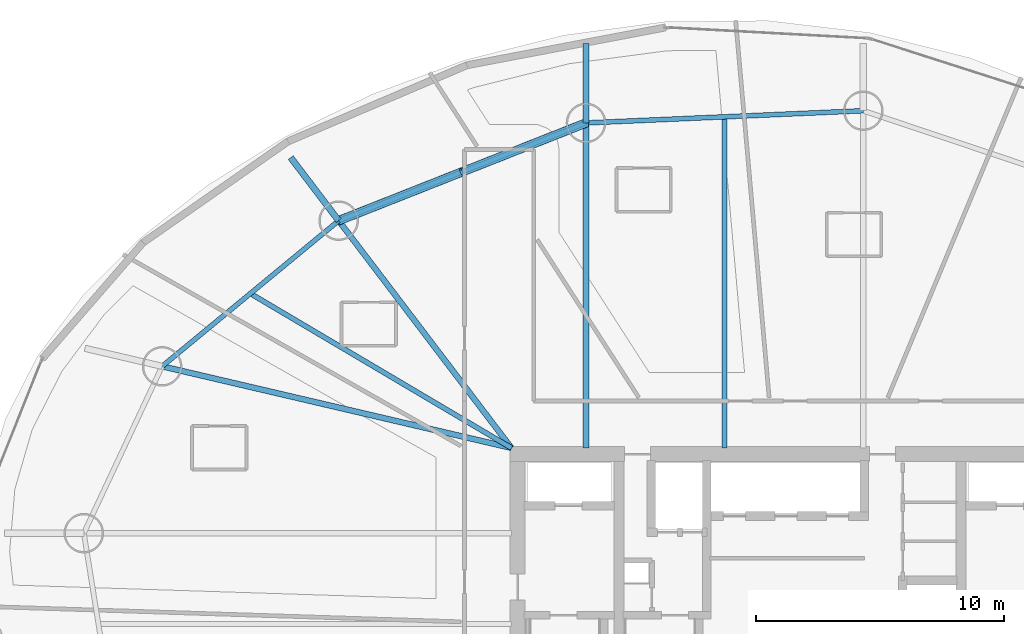
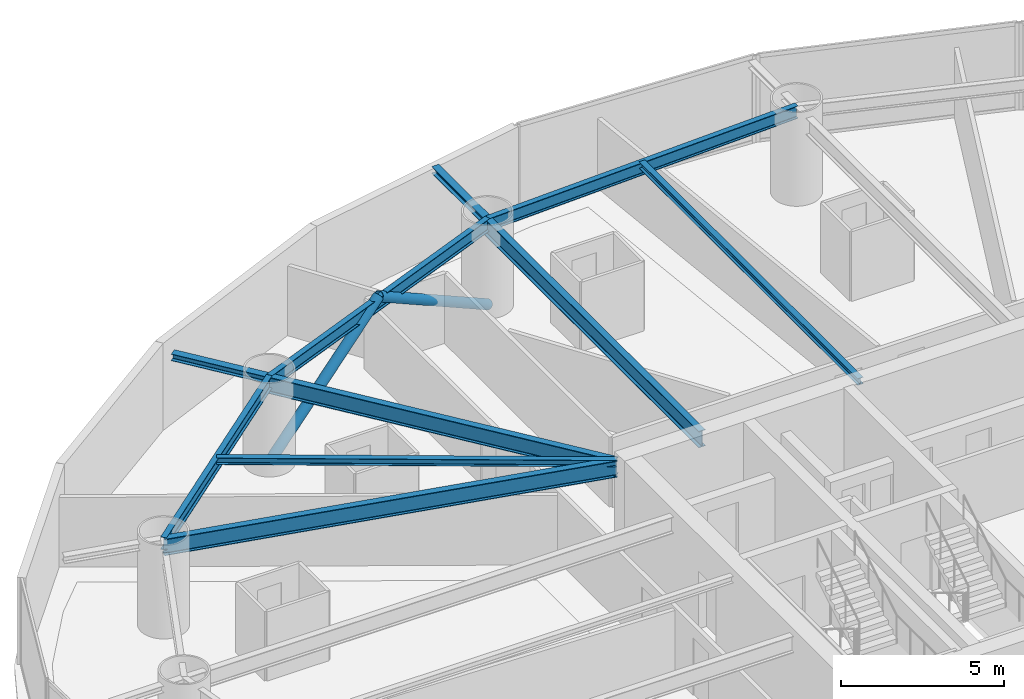
# One storey, part 13 of 26: 10 beams, 2 members.
"""IFC4 building model written with IfcOpenShell, lengths in metres."""

from ifc_helpers import new_model, si_unit, direction, frame, origin, origin_2d, place, context, subcontext, project, spatial, hollow_circle, i_section, extrude, material, material_profile, profile_set, type_object, element, save


model = new_model("IFC4")

# Units and contexts
model_context = context("Model", 3, precision=1e-05, world=origin(), true_north=direction((0.0, 1.0)))
body_context = subcontext(model_context, "Body", "Model", "MODEL_VIEW")
ifc_project = project(units=[si_unit("LENGTHUNIT", "METRE"), si_unit("AREAUNIT", "SQUARE_METRE"), si_unit("VOLUMEUNIT", "CUBIC_METRE"), si_unit("PLANEANGLEUNIT", "RADIAN"), si_unit("MASSUNIT", "GRAM", prefix="KILO")], contexts=[model_context])

# Site, building, storey
site_placement = place(None, origin())
site = spatial("IfcSite", under=ifc_project, at=site_placement, CompositionType="ELEMENT")
building_placement = place(site_placement, origin())
building = spatial("IfcBuilding", under=site, at=building_placement, Name="Bramvorn Convention Spire", CompositionType="ELEMENT")
storey_placement = place(building_placement, frame((0.0, 0.0, 76.39990234375)))
storey = spatial("IfcBuildingStorey", under=building, at=storey_placement, Name="L17", CompositionType="ELEMENT", Elevation=76.39990234375)

# Beams
ifc_material = material(Name="Steel CSA G40.21 Grade 350 (350W)", Category="steel")
ifc_material_profile_1 = material_profile(ifc_material, i_section(OverallWidth=0.201904296875, OverallDepth=0.2470703125, WebThickness=0.00732421875, FlangeThickness=0.010986328125, FilletRadius=0.011962890625, at=origin_2d()))
ifc_profile_set_1 = profile_set([ifc_material_profile_1], Name="Steel CSA G40.21 Grade 350 (350W) - W250X49")
beam_type_1 = type_object("IfcBeamType", Name="BM-W250X49", PredefinedType="JOIST", material=ifc_profile_set_1)
beam_1_placement = place(storey_placement, frame((35.361572265625, 33.449951171875, 3.126708984375), z_axis=(0.0, 1.0, 0.0), x_axis=(-1.0, 0.0, 0.0)))
element("IfcBeam", 1, at=beam_1_placement, inside=storey, type_object=beam_type_1, Name="L17 composite floor joist 05", PredefinedType="JOIST", context=body_context, shape_type="SweptSolid", body=[
    extrude(i_section(OverallWidth=0.201904296875, OverallDepth=0.2470703125, WebThickness=0.00732421875, FlangeThickness=0.010986328125, FilletRadius=0.011962890625, at=origin_2d()), origin(), (0.0, 0.0, 1.0), 13.372802734375),
])
beam_2_placement = place(storey_placement, frame((26.75, 33.449951171875, 3.126708984375), z_axis=(-0.860664556648, 0.509172388223, 0.0), x_axis=(-0.509172388223, -0.860664556648, 0.0)))
element("IfcBeam", 2, at=beam_2_placement, inside=storey, type_object=beam_type_1, Name="L17 composite floor joist 07", PredefinedType="JOIST", context=body_context, shape_type="SweptSolid", body=[
    extrude(i_section(OverallWidth=0.201904296875, OverallDepth=0.2470703125, WebThickness=0.00732421875, FlangeThickness=0.010986328125, FilletRadius=0.011962890625, at=origin_2d()), origin(), (0.0, 0.0, 1.0), 12.25048828125),
])
ifc_material_profile_2 = material_profile(ifc_material, i_section(OverallWidth=0.25390625, OverallDepth=0.2529296875, WebThickness=0.008544921875, FlangeThickness=0.01416015625, FilletRadius=0.011962890625, at=origin_2d()))
ifc_profile_set_2 = profile_set([ifc_material_profile_2], Name="Steel CSA G40.21 Grade 350 (350W) - W250X73")
beam_type_2 = type_object("IfcBeamType", Name="BM-W250X73", PredefinedType="BEAM", material=ifc_profile_set_2)
for number, where, z_axis, x_axis, name in (
    (3, (29.76220703125, 46.57666015625, 3.12353515625), (0.0, 1.0, 0.0), (-1.0, 0.0, 0.0), "L17 slab-edge cantilever tip beam MC06"),
    (4, (19.772216796875, 42.628662109375, 3.12353515625), (-0.605150969009, 0.796110736461, 0.0), (-0.796110736461, -0.605150969009, 0.0), "L17 slab-edge cantilever tip beam MC07"),
):
    element("IfcBeam", number, at=place(storey_placement, frame(where, z_axis=z_axis, x_axis=x_axis)), inside=storey, type_object=beam_type_2, Name=name, PredefinedType="BEAM", context=body_context, shape_type="SweptSolid", body=[
        extrude(i_section(OverallWidth=0.25390625, OverallDepth=0.2529296875, WebThickness=0.008544921875, FlangeThickness=0.01416015625, FilletRadius=0.011962890625, at=origin_2d()), origin(), (0.0, 0.0, 1.0), 3.199951171875),
    ])
ifc_material_profile_3 = material_profile(ifc_material, i_section(OverallWidth=0.194091796875, OverallDepth=0.468994140625, WebThickness=0.0126953125, FlangeThickness=0.0205078125, FilletRadius=0.01806640625, at=origin_2d()))
ifc_profile_set_3 = profile_set([ifc_material_profile_3], Name="Steel CSA G40.21 Grade 350 (350W) - W460X106")
beam_type_3 = type_object("IfcBeamType", Name="BM-W460X106", PredefinedType="SPANDREL", material=ifc_profile_set_3)
beam_3_placement = place(storey_placement, frame((40.9609375, 47.06884765625, 3.015625), z_axis=(-0.999035582762, -0.043907907889, 0.0), x_axis=(0.043907907889, -0.999035582762, 0.0)))
element("IfcBeam", 5, at=beam_3_placement, inside=storey, type_object=beam_type_3, Name="L17 mega-column ring beam 05", PredefinedType="SPANDREL", context=body_context, shape_type="SweptSolid", body=[
    extrude(i_section(OverallWidth=0.194091796875, OverallDepth=0.468994140625, WebThickness=0.0126953125, FlangeThickness=0.0205078125, FilletRadius=0.01806640625, at=origin_2d()), origin(), (0.0, 0.0, 1.0), 11.20947265625),
])
beam_4_placement = place(storey_placement, frame((29.76220703125, 46.57666015625, 3.015625), z_axis=(-0.93000950609, -0.367535465749, 0.0), x_axis=(0.367535465749, -0.93000950609, 0.0)))
element("IfcBeam", 6, at=beam_4_placement, inside=storey, type_object=beam_type_3, Name="L17 mega-column ring beam 06", PredefinedType="SPANDREL", context=body_context, shape_type="SweptSolid", body=[
    extrude(i_section(OverallWidth=0.194091796875, OverallDepth=0.468994140625, WebThickness=0.0126953125, FlangeThickness=0.0205078125, FilletRadius=0.01806640625, at=origin_2d()), origin(), (0.0, 0.0, 1.0), 10.74169921875),
])
beam_5_placement = place(storey_placement, frame((19.772216796875, 42.628662109375, 3.015625), z_axis=(-0.771417680101, -0.636329130896, 0.0), x_axis=(0.636329130896, -0.771417680101, 0.0)))
element("IfcBeam", 7, at=beam_5_placement, inside=storey, type_object=beam_type_3, Name="L17 mega-column ring beam 07", PredefinedType="SPANDREL", context=body_context, shape_type="SweptSolid", body=[
    extrude(i_section(OverallWidth=0.194091796875, OverallDepth=0.468994140625, WebThickness=0.0126953125, FlangeThickness=0.0205078125, FilletRadius=0.01806640625, at=origin_2d()), origin(), (0.0, 0.0, 1.0), 9.244140625),
])
ifc_material_profile_4 = material_profile(ifc_material, i_section(OverallWidth=0.22998046875, OverallDepth=0.616943359375, WebThickness=0.01318359375, FlangeThickness=0.022216796875, FilletRadius=0.02001953125, at=origin_2d()))
ifc_profile_set_4 = profile_set([ifc_material_profile_4], Name="Steel CSA G40.21 Grade 350 (350W) - W610X140")
beam_type_4 = type_object("IfcBeamType", Name="BM-W610X140", PredefinedType="BEAM", material=ifc_profile_set_4)
beam_6_placement = place(storey_placement, frame((29.76220703125, 33.449951171875, 2.941650390625), z_axis=(0.0, 1.0, 0.0), x_axis=(-1.0, 0.0, 0.0)))
element("IfcBeam", 8, at=beam_6_placement, inside=storey, type_object=beam_type_4, Name="L17 radial floor girder MC06", PredefinedType="BEAM", context=body_context, shape_type="SweptSolid", body=[
    extrude(i_section(OverallWidth=0.22998046875, OverallDepth=0.616943359375, WebThickness=0.01318359375, FlangeThickness=0.022216796875, FilletRadius=0.02001953125, at=origin_2d()), origin(), (0.0, 0.0, 1.0), 13.126708984375),
])
beam_7_placement = place(storey_placement, frame((26.75, 33.449951171875, 2.941650390625), z_axis=(-0.605191175112, 0.796080172826, 0.0), x_axis=(-0.796080172826, -0.605191175112, 0.0)))
element("IfcBeam", 9, at=beam_7_placement, inside=storey, type_object=beam_type_4, Name="L17 radial floor girder MC07", PredefinedType="BEAM", context=body_context, shape_type="SweptSolid", body=[
    extrude(i_section(OverallWidth=0.22998046875, OverallDepth=0.616943359375, WebThickness=0.01318359375, FlangeThickness=0.022216796875, FilletRadius=0.02001953125, at=origin_2d()), origin(), (0.0, 0.0, 1.0), 11.52978515625),
])
beam_8_placement = place(storey_placement, frame((26.75, 33.449951171875, 2.941650390625), z_axis=(-0.973775294862, 0.227511923018, 0.0), x_axis=(-0.227511923018, -0.973775294862, 0.0)))
element("IfcBeam", 10, at=beam_8_placement, inside=storey, type_object=beam_type_4, Name="L17 radial floor girder MC08", PredefinedType="BEAM", context=body_context, shape_type="SweptSolid", body=[
    extrude(i_section(OverallWidth=0.22998046875, OverallDepth=0.616943359375, WebThickness=0.01318359375, FlangeThickness=0.022216796875, FilletRadius=0.02001953125, at=origin_2d()), origin(), (0.0, 0.0, 1.0), 14.48876953125),
])

# Members
ifc_material_profile_5 = material_profile(ifc_material, hollow_circle(Radius=0.177734375, WallThickness=0.015869140625, at=origin_2d()))
ifc_profile_set_5 = profile_set([ifc_material_profile_5], Name="Steel CSA G40.21 Grade 350 (350W) - CHS356X16")
member_type = type_object("IfcMemberType", Name="MBR-CHS356X16", PredefinedType="BRACE", material=ifc_profile_set_5)
member_1_placement = place(storey_placement, frame((29.76220703125, 46.57666015625, 0.0), z_axis=(-0.795674251791, -0.314435032295, 0.517719128005), x_axis=(0.367523576179, -0.930014204705, 0.0)))
element("IfcMember", 11, at=member_1_placement, inside=storey, type_object=member_type, Name="L17 perimeter Gothic lancet brace 6A", PredefinedType="BRACE", context=body_context, shape_type="SweptSolid", body=[
    extrude(hollow_circle(Radius=0.177734375, WallThickness=0.015869140625, at=origin_2d()), origin(), (0.0, 0.0, 1.0), 6.277587890625),
])
member_2_placement = place(storey_placement, frame((19.772216796875, 42.628662109375, 0.0), z_axis=(0.795678790301, 0.314460346939, 0.517696776954), x_axis=(-0.367547354558, 0.930004807599, 0.0)))
element("IfcMember", 12, at=member_2_placement, inside=storey, type_object=member_type, Name="L17 perimeter Gothic lancet brace 6B", PredefinedType="BRACE", context=body_context, shape_type="SweptSolid", body=[
    extrude(hollow_circle(Radius=0.177734375, WallThickness=0.015869140625, at=origin_2d()), origin(), (0.0, 0.0, 1.0), 6.27783203125),
])

save(model, "model.ifc")
